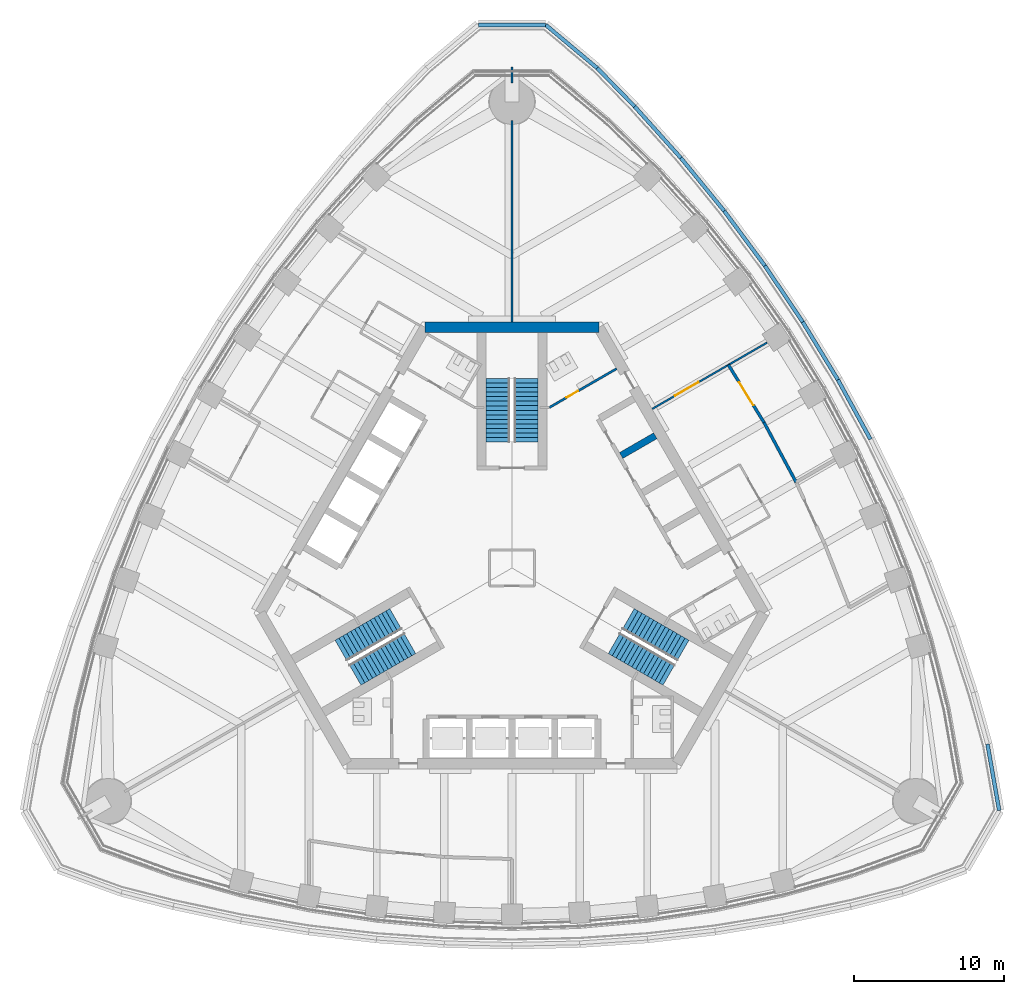
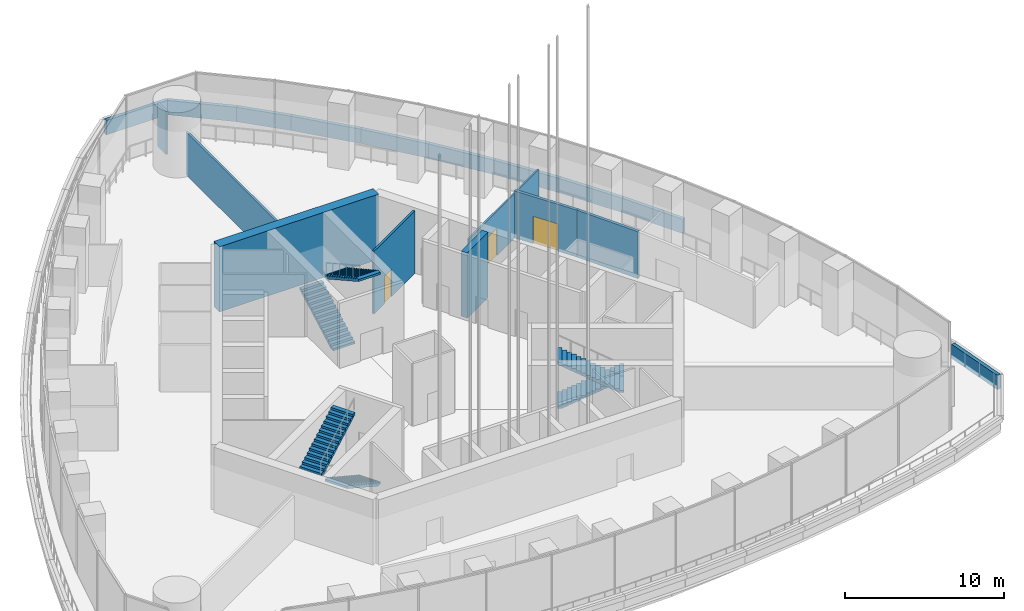
# One storey, part 12 of 26: 18 walls, 6 stair flights, 3 doors, 3 openings, 3 elements without a shape of their own.
"""IFC4 building model written with IfcOpenShell, lengths in metres."""

from ifc_helpers import new_model, si_unit, direction, frame, frame_2d, origin, place, context, subcontext, project, spatial, polyline, rectangle, outline, extrude, material, layer, layer_set, type_object, element, fill, aggregate, save


model = new_model("IFC4")

# Units and contexts
model_context = context("Model", 3, precision=1e-05, world=origin(), true_north=direction((0.0, 1.0)))
body_context = subcontext(model_context, "Body", "Model", "MODEL_VIEW")
ifc_project = project(units=[si_unit("LENGTHUNIT", "METRE"), si_unit("AREAUNIT", "SQUARE_METRE"), si_unit("VOLUMEUNIT", "CUBIC_METRE"), si_unit("PLANEANGLEUNIT", "RADIAN"), si_unit("MASSUNIT", "GRAM", prefix="KILO")], contexts=[model_context])

# Site, building, storey
site_placement = place(None, origin())
site = spatial("IfcSite", under=ifc_project, at=site_placement, CompositionType="ELEMENT")
building_placement = place(site_placement, origin())
building = spatial("IfcBuilding", under=site, at=building_placement, Name="Trefoil Bronze Tower", CompositionType="ELEMENT")
storey_placement = place(building_placement, frame((0.0, 0.0, 271.300048828125)))
storey = spatial("IfcBuildingStorey", under=building, at=storey_placement, Name="L62", CompositionType="ELEMENT", Elevation=271.300048828125)

# Wall, opening, door
ifc_material_1 = material(Name="Gypsum board on steel studs", Category="steel")
ifc_layer_1 = layer(ifc_material_1, 0.199951171875)
ifc_layer_set_1 = layer_set([ifc_layer_1], Name="Acoustic partition 200")
wall_type_1 = type_object("IfcWallType", Name="Acoustic partition 200", PredefinedType="PARTITIONING", material=ifc_layer_set_1)
wall_1_placement = place(storey_placement, frame((16.759033203125, 9.67578125, 0.0), z_axis=(0.0, 0.0, 1.0), x_axis=(-0.525996140194, 0.850486954927, 0.0)))
wall_1 = element("IfcWall", 1, at=wall_1_placement, inside=storey, type_object=wall_type_1, Name="Partition F2 L62", PredefinedType="PARTITIONING", context=body_context, shape_type="SweptSolid", body=[
    extrude(rectangle(XDim=4.502197265625, YDim=0.199951171875, at=frame_2d((2.2509765625, 0.0))), origin(), (0.0, 0.0, 1.0), 3.599853515625),
])
opening_1_placement = place(wall_1_placement, frame((1.35009765625, 0.0, 0.0)))
opening_1 = element("IfcOpeningElement", 2, at=opening_1_placement, cuts=wall_1, Name="Opening D10", PredefinedType="OPENING", context=body_context, shape_type="SweptSolid", body=[
    extrude(rectangle(XDim=1.800048828125, YDim=2.10009765625, at=frame_2d((0.89990234375, 1.050048828125))), frame((0.0, 0.10986328125, 0.0), z_axis=(0.0, -1.0, 0.0), x_axis=(1.0, 0.0, 0.0)), (0.0, 0.0, 1.0), 0.219970703125),
])
ifc_material_2 = material(Name="Timber door", Category="wood")
door_type_1 = type_object("IfcDoorType", Name="Double door 1800", OperationType="DOUBLE_DOOR_SINGLE_SWING", PredefinedType="DOOR", material=ifc_material_2)
door_1_placement = place(opening_1_placement, frame((1.800048828125, 0.0, 0.0), z_axis=(0.0, 0.0, 1.0), x_axis=(-1.0, 0.0, 0.0)))
door_1 = element("IfcDoor", 3, at=door_1_placement, inside=storey, type_object=door_type_1, Name="Private dining room door F2 L62", OperationType="DOUBLE_DOOR_SINGLE_SWING", OverallHeight=2.10009765625, OverallWidth=1.800048828125, PredefinedType="DOOR", context=body_context, shape_type="SweptSolid", body=[
    extrude(rectangle(XDim=1.800048828125, YDim=2.10009765625, at=frame_2d((0.89990234375, 1.050048828125))), frame((0.0, 0.02490234375, 0.0), z_axis=(0.0, -1.0, 0.0), x_axis=(1.0, 0.0, 0.0)), (0.0, 0.0, 1.0), 0.050048828125),
])
fill(opening_1, door_1)

# Walls
wall_2_placement = place(storey_placement, frame((18.890869140625, 5.71044921875, 0.0), z_axis=(0.0, 0.0, 1.0), x_axis=(-0.473524102582, 0.880780860529, 0.0)))
element("IfcWall", 4, at=wall_2_placement, inside=storey, type_object=wall_type_1, Name="Partition F2 L62", PredefinedType="PARTITIONING", context=body_context, shape_type="SweptSolid", body=[
    extrude(rectangle(XDim=4.501953125, YDim=0.199951171875, at=frame_2d((2.2509765625, 0.0))), origin(), (0.0, 0.0, 1.0), 3.599853515625),
])
ifc_material_3 = material(Name="Concrete B80", Category="concrete")
ifc_layer_2 = layer(ifc_material_3, 0.699951171875)
ifc_layer_set_2 = layer_set([ifc_layer_2], Name="Core wall 700")
wall_type_2 = type_object("IfcWallType", Name="Core wall 700", PredefinedType="SHEAR", material=ifc_layer_set_2)
wall_3_placement = place(storey_placement, frame((5.7734375, 16.0, 0.0), z_axis=(0.0, 0.0, 1.0), x_axis=(-1.0, 0.0, 0.0)))
element("IfcWall", 5, at=wall_3_placement, inside=storey, type_object=wall_type_2, Name="Core short wall 2 L62", PredefinedType="SHEAR", context=body_context, shape_type="SweptSolid", body=[
    extrude(rectangle(XDim=11.546875, YDim=0.699951171875, at=frame_2d((5.7734375, 0.0))), origin(), (0.0, 0.0, 1.0), 5.0),
])

# Wall, opening, door
ifc_material_4 = material(Name="Glazed partition", Category="glass")
ifc_layer_3 = layer(ifc_material_4, 0.1201171875)
ifc_layer_set_3 = layer_set([ifc_layer_3], Name="Glazed partition 120")
wall_type_3 = type_object("IfcWallType", Name="Glazed partition 120", PredefinedType="PARTITIONING", material=ifc_layer_set_3)
wall_4_placement = place(storey_placement, frame((9.328857421875, 10.58203125, 0.0), z_axis=(0.0, 0.0, 1.0), x_axis=(0.86602503688, 0.500000635496, 0.0)))
wall_4 = element("IfcWall", 6, at=wall_4_placement, inside=storey, type_object=wall_type_3, Name="Partition F2 L62", PredefinedType="PARTITIONING", context=body_context, shape_type="SweptSolid", body=[
    extrude(rectangle(XDim=8.8125, YDim=0.1201171875, at=frame_2d((4.40625, 0.0))), origin(), (0.0, 0.0, 1.0), 3.39990234375),
])
opening_2_placement = place(wall_4_placement, frame((1.75, 0.0, 0.0)))
opening_2 = element("IfcOpeningElement", 7, at=opening_2_placement, cuts=wall_4, Name="Opening D10", PredefinedType="OPENING", context=body_context, shape_type="SweptSolid", body=[
    extrude(rectangle(XDim=1.800048828125, YDim=2.10009765625, at=frame_2d((0.89990234375, 1.050048828125))), frame((0.0, 0.070068359375, 0.0), z_axis=(0.0, -1.0, 0.0), x_axis=(1.0, 0.0, 0.0)), (0.0, 0.0, 1.0), 0.14013671875),
])
door_2_placement = place(opening_2_placement, origin())
door_2 = element("IfcDoor", 8, at=door_2_placement, inside=storey, type_object=door_type_1, Name="Kitchen door F2 L62", OperationType="DOUBLE_DOOR_SINGLE_SWING", OverallHeight=2.10009765625, OverallWidth=1.800048828125, PredefinedType="DOOR", context=body_context, shape_type="SweptSolid", body=[
    extrude(rectangle(XDim=1.800048828125, YDim=2.10009765625, at=frame_2d((0.89990234375, 1.050048828125))), frame((0.0, 0.02490234375, 0.0), z_axis=(0.0, -1.0, 0.0), x_axis=(1.0, 0.0, 0.0)), (0.0, 0.0, 1.0), 0.050048828125),
])
fill(opening_2, door_2)

# Walls
ifc_material_5 = material(Name="Concrete B80", Category="concrete")
ifc_layer_4 = layer(ifc_material_5, 0.449951171875)
ifc_layer_set_4 = layer_set([ifc_layer_4], Name="Outrigger shaft wall 450")
wall_type_4 = type_object("IfcWallType", Name="Outrigger shaft wall 450", PredefinedType="SHEAR", material=ifc_layer_set_4)
wall_5_placement = place(storey_placement, frame((7.2568359375, 7.480712890625, 0.0), z_axis=(0.0, 0.0, 1.0), x_axis=(0.866036909293, 0.499980071345, 0.0)))
element("IfcWall", 9, at=wall_5_placement, inside=storey, type_object=wall_type_4, Name="Lift shaft side wall B3 L62", PredefinedType="SHEAR", context=body_context, shape_type="SweptSolid", body=[
    extrude(rectangle(XDim=2.625, YDim=0.449951171875, at=frame_2d((1.3125, 0.0))), origin(), (0.0, 0.0, 1.0), 5.0),
])
ifc_material_6 = material(Name="Concrete B80", Category="concrete")
ifc_layer_5 = layer(ifc_material_6, 0.25)
ifc_layer_set_5 = layer_set([ifc_layer_5], Name="Parapet 250")
wall_type_5 = type_object("IfcWallType", Name="Parapet 250", PredefinedType="PARAPET", material=ifc_layer_set_5)
wall_6_placement = place(storey_placement, frame((32.395263671875, -16.119873046875, 0.0), z_axis=(0.0, 0.0, 1.0), x_axis=(-0.173663946116, 0.984804972479, 0.0)))
element("IfcWall", 10, at=wall_6_placement, inside=storey, type_object=wall_type_5, Name="Parapet L62.15", PredefinedType="PARAPET", context=body_context, shape_type="SweptSolid", body=[
    extrude(rectangle(XDim=4.474853515625, YDim=0.25, at=frame_2d((2.2373046875, 0.0))), origin(), (0.0, 0.0, 1.0), 1.099853515625),
])
wall_7_placement = place(storey_placement, frame((23.833251953125, 8.56396484375, 0.0), z_axis=(0.0, 0.0, 1.0), x_axis=(-0.479949984371, 0.877295852322, 0.0)))
element("IfcWall", 11, at=wall_7_placement, inside=storey, type_object=wall_type_5, Name="Parapet L62.21", PredefinedType="PARAPET", context=body_context, shape_type="SweptSolid", body=[
    extrude(rectangle(XDim=4.501220703125, YDim=0.25, at=frame_2d((2.25048828125, 0.0))), origin(), (0.0, 0.0, 1.0), 1.099853515625),
])
wall_8_placement = place(storey_placement, frame((21.6728515625, 12.512939453125, 0.0), z_axis=(0.0, 0.0, 1.0), x_axis=(-0.519790350351, 0.85429385558, 0.0)))
element("IfcWall", 12, at=wall_8_placement, inside=storey, type_object=wall_type_5, Name="Parapet L62.22", PredefinedType="PARAPET", context=body_context, shape_type="SweptSolid", body=[
    extrude(rectangle(XDim=4.5009765625, YDim=0.25, at=frame_2d((2.25048828125, 0.0))), origin(), (0.0, 0.0, 1.0), 1.099853515625),
])
wall_9_placement = place(storey_placement, frame((19.333251953125, 16.358154296875, 0.0), z_axis=(0.0, 0.0, 1.0), x_axis=(-0.55850386778, 0.829501916619, 0.0)))
element("IfcWall", 13, at=wall_9_placement, inside=storey, type_object=wall_type_5, Name="Parapet L62.23", PredefinedType="PARAPET", context=body_context, shape_type="SweptSolid", body=[
    extrude(rectangle(XDim=4.5107421875, YDim=0.25, at=frame_2d((2.25537109375, 0.0))), origin(), (0.0, 0.0, 1.0), 1.099853515625),
])
wall_10_placement = place(storey_placement, frame((16.81396484375, 20.099853515625, 0.0), z_axis=(0.0, 0.0, 1.0), x_axis=(-0.59613842716, 0.802881669777, 0.0)))
element("IfcWall", 14, at=wall_10_placement, inside=storey, type_object=wall_type_5, Name="Parapet L62.24", PredefinedType="PARAPET", context=body_context, shape_type="SweptSolid", body=[
    extrude(rectangle(XDim=4.52978515625, YDim=0.25, at=frame_2d((2.264892578125, 0.0))), origin(), (0.0, 0.0, 1.0), 1.099853515625),
])
wall_11_placement = place(storey_placement, frame((14.113525390625, 23.73681640625, 0.0), z_axis=(0.0, 0.0, 1.0), x_axis=(-0.632765292047, 0.774343647989, 0.0)))
element("IfcWall", 15, at=wall_11_placement, inside=storey, type_object=wall_type_5, Name="Parapet L62.25", PredefinedType="PARAPET", context=body_context, shape_type="SweptSolid", body=[
    extrude(rectangle(XDim=4.559326171875, YDim=0.25, at=frame_2d((2.27978515625, 0.0))), origin(), (0.0, 0.0, 1.0), 1.099853515625),
])
wall_12_placement = place(storey_placement, frame((11.228515625, 27.267333984375, 0.0), z_axis=(0.0, 0.0, 1.0), x_axis=(-0.668245909458, 0.743940457626, 0.0)))
element("IfcWall", 16, at=wall_12_placement, inside=storey, type_object=wall_type_5, Name="Parapet L62.26", PredefinedType="PARAPET", context=body_context, shape_type="SweptSolid", body=[
    extrude(rectangle(XDim=4.599365234375, YDim=0.25, at=frame_2d((2.2998046875, 0.0))), origin(), (0.0, 0.0, 1.0), 1.099853515625),
])
wall_13_placement = place(storey_placement, frame((8.155029296875, 30.68896484375, 0.0), z_axis=(0.0, 0.0, 1.0), x_axis=(-0.698630261643, 0.715482884154, 0.0)))
element("IfcWall", 17, at=wall_13_placement, inside=storey, type_object=wall_type_5, Name="Parapet L62.27", PredefinedType="PARAPET", context=body_context, shape_type="SweptSolid", body=[
    extrude(rectangle(XDim=3.563720703125, YDim=0.25, at=frame_2d((1.78173828125, 0.0))), origin(), (0.0, 0.0, 1.0), 1.099853515625),
])
wall_14_placement = place(storey_placement, frame((5.665283203125, 33.23876953125, 0.0), z_axis=(0.0, 0.0, 1.0), x_axis=(-0.766065878984, 0.642762062553, 0.0)))
element("IfcWall", 18, at=wall_14_placement, inside=storey, type_object=wall_type_5, Name="Parapet L62.28", PredefinedType="PARAPET", context=body_context, shape_type="SweptSolid", body=[
    extrude(rectangle(XDim=4.474853515625, YDim=0.25, at=frame_2d((2.2373046875, 0.0))), origin(), (0.0, 0.0, 1.0), 1.099853515625),
])
wall_15_placement = place(storey_placement, frame((2.2373046875, 36.114990234375, 0.0), z_axis=(0.0, 0.0, 1.0), x_axis=(-1.0, 0.0, 0.0)))
element("IfcWall", 19, at=wall_15_placement, inside=storey, type_object=wall_type_5, Name="Parapet L62.29", PredefinedType="PARAPET", context=body_context, shape_type="SweptSolid", body=[
    extrude(rectangle(XDim=4.474609375, YDim=0.25, at=frame_2d((2.2373046875, 0.0))), origin(), (0.0, 0.0, 1.0), 1.099853515625),
])

# Wall, opening, door
ifc_material_7 = material(Name="Gypsum board on steel studs", Category="steel")
ifc_layer_6 = layer(ifc_material_7, 0.14990234375)
ifc_layer_set_6 = layer_set([ifc_layer_6], Name="Partition 150")
wall_type_6 = type_object("IfcWallType", Name="Partition 150", PredefinedType="PARTITIONING", material=ifc_layer_set_6)
wall_16_placement = place(storey_placement, frame((2.4951171875, 10.67822265625, 0.0), z_axis=(0.0, 0.0, 1.0), x_axis=(0.866037967349, 0.499978238636, 0.0)))
wall_16 = element("IfcWall", 20, at=wall_16_placement, inside=storey, type_object=wall_type_6, Name="Passage wall F2+ L62", PredefinedType="PARTITIONING", context=body_context, shape_type="SweptSolid", body=[
    extrude(rectangle(XDim=5.150146484375, YDim=0.14990234375, at=frame_2d((2.5751953125, 0.0))), origin(), (0.0, 0.0, 1.0), 4.800048828125),
])
opening_3_placement = place(wall_16_placement, frame((1.300048828125, 0.0, 0.0)))
opening_3 = element("IfcOpeningElement", 21, at=opening_3_placement, cuts=wall_16, Name="Opening D3", PredefinedType="OPENING", context=body_context, shape_type="SweptSolid", body=[
    extrude(rectangle(XDim=0.89990234375, YDim=2.10009765625, at=frame_2d((0.449951171875, 1.050048828125))), frame((0.0, 0.0849609375, 0.0), z_axis=(0.0, -1.0, 0.0), x_axis=(1.0, 0.0, 0.0)), (0.0, 0.0, 1.0), 0.169921875),
])
ifc_material_8 = material(Name="Timber door", Category="wood")
door_type_2 = type_object("IfcDoorType", Name="WC door 900", OperationType="SINGLE_SWING_LEFT", PredefinedType="DOOR", material=ifc_material_8)
door_3_placement = place(opening_3_placement, origin())
door_3 = element("IfcDoor", 22, at=door_3_placement, inside=storey, type_object=door_type_2, Name="WC (men) door L62", OperationType="SINGLE_SWING_LEFT", OverallHeight=2.10009765625, OverallWidth=0.89990234375, PredefinedType="DOOR", context=body_context, shape_type="SweptSolid", body=[
    extrude(rectangle(XDim=0.89990234375, YDim=2.10009765625, at=frame_2d((0.449951171875, 1.050048828125))), frame((0.0, 0.02490234375, 0.0), z_axis=(0.0, -1.0, 0.0), x_axis=(1.0, 0.0, 0.0)), (0.0, 0.0, 1.0), 0.050048828125),
])
fill(opening_3, door_3)

# Walls
ifc_material_9 = material(Name="Gypsum board on steel studs", Category="steel")
ifc_layer_7 = layer(ifc_material_9, 0.14990234375)
ifc_layer_set_7 = layer_set([ifc_layer_7], Name="Party wall 150")
wall_type_7 = type_object("IfcWallType", Name="Party wall 150", PredefinedType="PARTITIONING", material=ifc_layer_set_7)
wall_17_placement = place(storey_placement, frame((0.0, 16.35009765625, 0.0), z_axis=(0.0, 0.0, 1.0), x_axis=(0.0, 1.0, 0.0)))
element("IfcWall", 23, at=wall_17_placement, inside=storey, type_object=wall_type_7, Name="Party wall K2 L62", PredefinedType="PARTITIONING", context=body_context, shape_type="SweptSolid", body=[
    extrude(rectangle(XDim=13.39990234375, YDim=0.14990234375, at=frame_2d((6.699951171875, 0.0))), origin(), (0.0, 0.0, 1.0), 3.300048828125),
])
wall_18_placement = place(storey_placement, frame((0.0, 32.25, 0.0), z_axis=(0.0, 0.0, 1.0), x_axis=(0.0, 1.0, 0.0)))
element("IfcWall", 24, at=wall_18_placement, inside=storey, type_object=wall_type_7, Name="Party wall K2 L62", PredefinedType="PARTITIONING", context=body_context, shape_type="SweptSolid", body=[
    extrude(rectangle(XDim=1.06982421875, YDim=0.14990234375, at=frame_2d((0.534912109375, 0.0))), origin(), (0.0, 0.0, 1.0), 3.300048828125),
])

# Stair, stair flights
ifc_material_10 = material(Name="Precast concrete B80", Category="concrete")
stair_type = type_object("IfcStairType", Name="Exit stair 30 risers", PredefinedType="HALF_TURN_STAIR", material=ifc_material_10)
stair_1_placement = place(storey_placement, origin())
stair_1 = element("IfcStair", 25, at=stair_1_placement, inside=storey, type_object=stair_type, Name="Stair ST1 L62", PredefinedType="HALF_TURN_STAIR")
ifc_material_11 = material(Name="Precast concrete B80", Category="concrete")
stair_flight_type = type_object("IfcStairFlightType", Name="Stair flight 1600", PredefinedType="STRAIGHT", material=ifc_material_11)
stair_flight_1_placement = place(storey_placement, frame((7.728515625, -3.39404296875, 0.0), z_axis=(0.0, 0.0, 1.0), x_axis=(0.866025403784, -0.5, 0.0)))
stair_flight_1 = element("IfcStairFlight", 26, at=stair_flight_1_placement, type_object=stair_flight_type, Name="ST1 flight 1", NumberOfRisers=15, NumberOfTreads=14, PredefinedType="STRAIGHT", RiserHeight=0.166666667, TreadLength=0.3, context=body_context, shape_type="SweptSolid", body=[
    extrude(outline(polyline([(0.0, 0.0), (0.0, 0.166748046875), (0.300048828125, 0.166748046875), (0.300048828125, 0.333251953125), (0.60009765625, 0.333251953125), (0.60009765625, 0.5), (0.89990234375, 0.5), (0.89990234375, 0.666748046875), (1.199951171875, 0.666748046875), (1.199951171875, 0.833251953125), (1.5, 0.833251953125), (1.5, 1.0), (1.800048828125, 1.0), (1.800048828125, 1.166748046875), (2.10009765625, 1.166748046875), (2.10009765625, 1.333251953125), (2.39990234375, 1.333251953125), (2.39990234375, 1.5), (2.699951171875, 1.5), (2.699951171875, 1.666748046875), (3.0, 1.666748046875), (3.0, 1.833251953125), (3.300048828125, 1.833251953125), (3.300048828125, 2.0), (3.60009765625, 2.0), (3.60009765625, 2.166748046875), (3.89990234375, 2.166748046875), (3.89990234375, 2.333251953125), (4.199951171875, 2.333251953125), (4.199951171875, 2.5), (4.199951171875, 2.161865234375), (0.30859375, 0.0), (0.0, 0.0)])), frame((0.0, 0.800048828125, 0.0), z_axis=(0.0, -1.0, 0.0), x_axis=(1.0, 0.0, 0.0)), (0.0, 0.0, 1.0), 1.60009765625),
])
stair_flight_2_placement = place(storey_placement, frame((10.440673828125, -7.09619140625, 2.5), z_axis=(0.0, 0.0, 1.0), x_axis=(-0.866025403784, 0.5, 0.0)))
stair_flight_2 = element("IfcStairFlight", 27, at=stair_flight_2_placement, type_object=stair_flight_type, Name="ST1 flight 2", NumberOfRisers=15, NumberOfTreads=14, PredefinedType="STRAIGHT", RiserHeight=0.166666667, TreadLength=0.3, context=body_context, shape_type="SweptSolid", body=[
    extrude(outline(polyline([(0.0, 0.0), (0.0, 0.166748046875), (0.300048828125, 0.166748046875), (0.300048828125, 0.333251953125), (0.60009765625, 0.333251953125), (0.60009765625, 0.5), (0.89990234375, 0.5), (0.89990234375, 0.666748046875), (1.199951171875, 0.666748046875), (1.199951171875, 0.833251953125), (1.5, 0.833251953125), (1.5, 1.0), (1.800048828125, 1.0), (1.800048828125, 1.166748046875), (2.10009765625, 1.166748046875), (2.10009765625, 1.333251953125), (2.39990234375, 1.333251953125), (2.39990234375, 1.5), (2.699951171875, 1.5), (2.699951171875, 1.666748046875), (3.0, 1.666748046875), (3.0, 1.833251953125), (3.300048828125, 1.833251953125), (3.300048828125, 2.0), (3.60009765625, 2.0), (3.60009765625, 2.166748046875), (3.89990234375, 2.166748046875), (3.89990234375, 2.333251953125), (4.199951171875, 2.333251953125), (4.199951171875, 2.5), (4.199951171875, 2.161865234375), (0.30859375, 0.0), (0.0, 0.0)])), frame((0.0, 0.800048828125, 0.0), z_axis=(0.0, -1.0, 0.0), x_axis=(1.0, 0.0, 0.0)), (0.0, 0.0, 1.0), 1.60009765625),
])
aggregate(stair_1, [stair_flight_1, stair_flight_2])

stair_2_placement = place(storey_placement, origin())
stair_2 = element("IfcStair", 28, at=stair_2_placement, inside=storey, type_object=stair_type, Name="Stair ST2 L62", PredefinedType="HALF_TURN_STAIR")
stair_flight_3_placement = place(storey_placement, frame((-0.925048828125, 8.389892578125, 0.0), z_axis=(0.0, 0.0, 1.0), x_axis=(0.0, 1.0, 0.0)))
stair_flight_3 = element("IfcStairFlight", 29, at=stair_flight_3_placement, type_object=stair_flight_type, Name="ST2 flight 1", NumberOfRisers=15, NumberOfTreads=14, PredefinedType="STRAIGHT", RiserHeight=0.166666667, TreadLength=0.3, context=body_context, shape_type="SweptSolid", body=[
    extrude(outline(polyline([(0.0, 0.0), (0.0, 0.166748046875), (0.300048828125, 0.166748046875), (0.300048828125, 0.333251953125), (0.60009765625, 0.333251953125), (0.60009765625, 0.5), (0.89990234375, 0.5), (0.89990234375, 0.666748046875), (1.199951171875, 0.666748046875), (1.199951171875, 0.833251953125), (1.5, 0.833251953125), (1.5, 1.0), (1.800048828125, 1.0), (1.800048828125, 1.166748046875), (2.10009765625, 1.166748046875), (2.10009765625, 1.333251953125), (2.39990234375, 1.333251953125), (2.39990234375, 1.5), (2.699951171875, 1.5), (2.699951171875, 1.666748046875), (3.0, 1.666748046875), (3.0, 1.833251953125), (3.300048828125, 1.833251953125), (3.300048828125, 2.0), (3.60009765625, 2.0), (3.60009765625, 2.166748046875), (3.89990234375, 2.166748046875), (3.89990234375, 2.333251953125), (4.199951171875, 2.333251953125), (4.199951171875, 2.5), (4.199951171875, 2.161865234375), (0.30859375, 0.0), (0.0, 0.0)])), frame((0.0, 0.800048828125, 0.0), z_axis=(0.0, -1.0, 0.0), x_axis=(1.0, 0.0, 0.0)), (0.0, 0.0, 1.0), 1.60009765625),
])
stair_flight_4_placement = place(storey_placement, frame((0.925048828125, 12.590087890625, 2.5), z_axis=(0.0, 0.0, 1.0), x_axis=(0.0, -1.0, 0.0)))
stair_flight_4 = element("IfcStairFlight", 30, at=stair_flight_4_placement, type_object=stair_flight_type, Name="ST2 flight 2", NumberOfRisers=15, NumberOfTreads=14, PredefinedType="STRAIGHT", RiserHeight=0.166666667, TreadLength=0.3, context=body_context, shape_type="SweptSolid", body=[
    extrude(outline(polyline([(0.0, 0.0), (0.0, 0.166748046875), (0.300048828125, 0.166748046875), (0.300048828125, 0.333251953125), (0.60009765625, 0.333251953125), (0.60009765625, 0.5), (0.89990234375, 0.5), (0.89990234375, 0.666748046875), (1.199951171875, 0.666748046875), (1.199951171875, 0.833251953125), (1.5, 0.833251953125), (1.5, 1.0), (1.800048828125, 1.0), (1.800048828125, 1.166748046875), (2.10009765625, 1.166748046875), (2.10009765625, 1.333251953125), (2.39990234375, 1.333251953125), (2.39990234375, 1.5), (2.699951171875, 1.5), (2.699951171875, 1.666748046875), (3.0, 1.666748046875), (3.0, 1.833251953125), (3.300048828125, 1.833251953125), (3.300048828125, 2.0), (3.60009765625, 2.0), (3.60009765625, 2.166748046875), (3.89990234375, 2.166748046875), (3.89990234375, 2.333251953125), (4.199951171875, 2.333251953125), (4.199951171875, 2.5), (4.199951171875, 2.161865234375), (0.30859375, 0.0), (0.0, 0.0)])), frame((0.0, 0.800048828125, 0.0), z_axis=(0.0, -1.0, 0.0), x_axis=(1.0, 0.0, 0.0)), (0.0, 0.0, 1.0), 1.60009765625),
])
aggregate(stair_2, [stair_flight_3, stair_flight_4])

stair_3_placement = place(storey_placement, origin())
stair_3 = element("IfcStair", 31, at=stair_3_placement, inside=storey, type_object=stair_type, Name="Stair ST3 L62", PredefinedType="HALF_TURN_STAIR")
stair_flight_5_placement = place(storey_placement, frame((-6.803466796875, -4.99609375, 0.0), z_axis=(0.0, 0.0, 1.0), x_axis=(-0.866025403784, -0.5, 0.0)))
stair_flight_5 = element("IfcStairFlight", 32, at=stair_flight_5_placement, type_object=stair_flight_type, Name="ST3 flight 1", NumberOfRisers=15, NumberOfTreads=14, PredefinedType="STRAIGHT", RiserHeight=0.166666667, TreadLength=0.3, context=body_context, shape_type="SweptSolid", body=[
    extrude(outline(polyline([(0.0, 0.0), (0.0, 0.166748046875), (0.300048828125, 0.166748046875), (0.300048828125, 0.333251953125), (0.60009765625, 0.333251953125), (0.60009765625, 0.5), (0.89990234375, 0.5), (0.89990234375, 0.666748046875), (1.199951171875, 0.666748046875), (1.199951171875, 0.833251953125), (1.5, 0.833251953125), (1.5, 1.0), (1.800048828125, 1.0), (1.800048828125, 1.166748046875), (2.10009765625, 1.166748046875), (2.10009765625, 1.333251953125), (2.39990234375, 1.333251953125), (2.39990234375, 1.5), (2.699951171875, 1.5), (2.699951171875, 1.666748046875), (3.0, 1.666748046875), (3.0, 1.833251953125), (3.300048828125, 1.833251953125), (3.300048828125, 2.0), (3.60009765625, 2.0), (3.60009765625, 2.166748046875), (3.89990234375, 2.166748046875), (3.89990234375, 2.333251953125), (4.199951171875, 2.333251953125), (4.199951171875, 2.5), (4.199951171875, 2.161865234375), (0.30859375, 0.0), (0.0, 0.0)])), frame((0.0, 0.800048828125, 0.0), z_axis=(0.0, -1.0, 0.0), x_axis=(1.0, 0.0, 0.0)), (0.0, 0.0, 1.0), 1.60009765625),
])
stair_flight_6_placement = place(storey_placement, frame((-11.36572265625, -5.493896484375, 2.5), z_axis=(0.0, 0.0, 1.0), x_axis=(0.866025403784, 0.5, 0.0)))
stair_flight_6 = element("IfcStairFlight", 33, at=stair_flight_6_placement, type_object=stair_flight_type, Name="ST3 flight 2", NumberOfRisers=15, NumberOfTreads=14, PredefinedType="STRAIGHT", RiserHeight=0.166666667, TreadLength=0.3, context=body_context, shape_type="SweptSolid", body=[
    extrude(outline(polyline([(0.0, 0.0), (0.0, 0.166748046875), (0.300048828125, 0.166748046875), (0.300048828125, 0.333251953125), (0.60009765625, 0.333251953125), (0.60009765625, 0.5), (0.89990234375, 0.5), (0.89990234375, 0.666748046875), (1.199951171875, 0.666748046875), (1.199951171875, 0.833251953125), (1.5, 0.833251953125), (1.5, 1.0), (1.800048828125, 1.0), (1.800048828125, 1.166748046875), (2.10009765625, 1.166748046875), (2.10009765625, 1.333251953125), (2.39990234375, 1.333251953125), (2.39990234375, 1.5), (2.699951171875, 1.5), (2.699951171875, 1.666748046875), (3.0, 1.666748046875), (3.0, 1.833251953125), (3.300048828125, 1.833251953125), (3.300048828125, 2.0), (3.60009765625, 2.0), (3.60009765625, 2.166748046875), (3.89990234375, 2.166748046875), (3.89990234375, 2.333251953125), (4.199951171875, 2.333251953125), (4.199951171875, 2.5), (4.199951171875, 2.161865234375), (0.30859375, 0.0), (0.0, 0.0)])), frame((0.0, 0.800048828125, 0.0), z_axis=(0.0, -1.0, 0.0), x_axis=(1.0, 0.0, 0.0)), (0.0, 0.0, 1.0), 1.60009765625),
])
aggregate(stair_3, [stair_flight_5, stair_flight_6])

save(model, "model.ifc")
